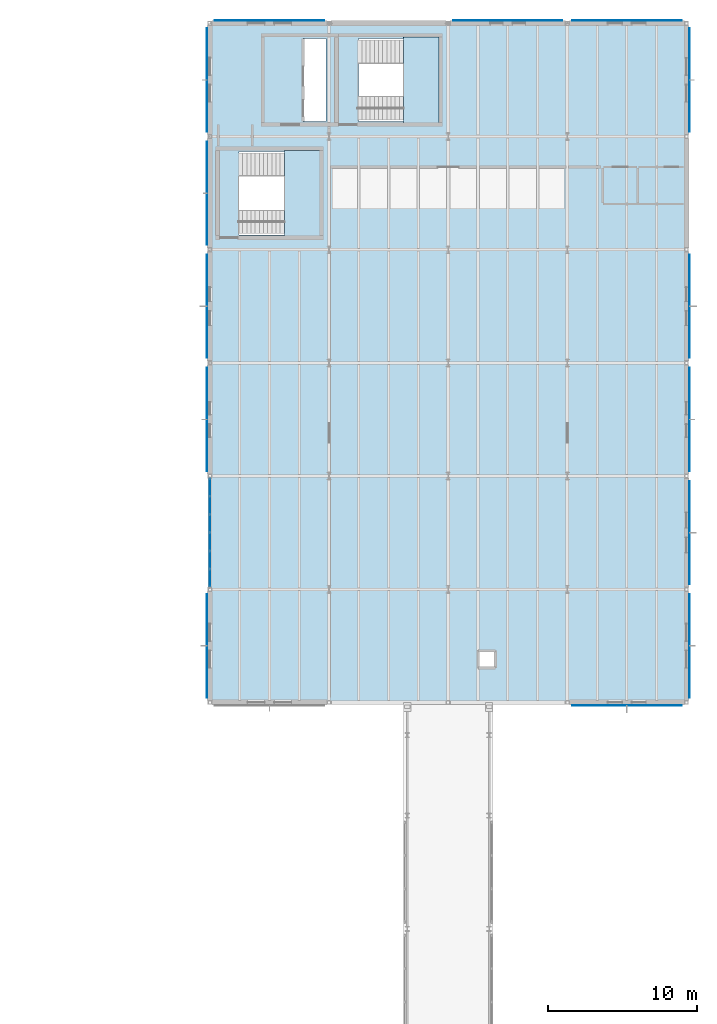
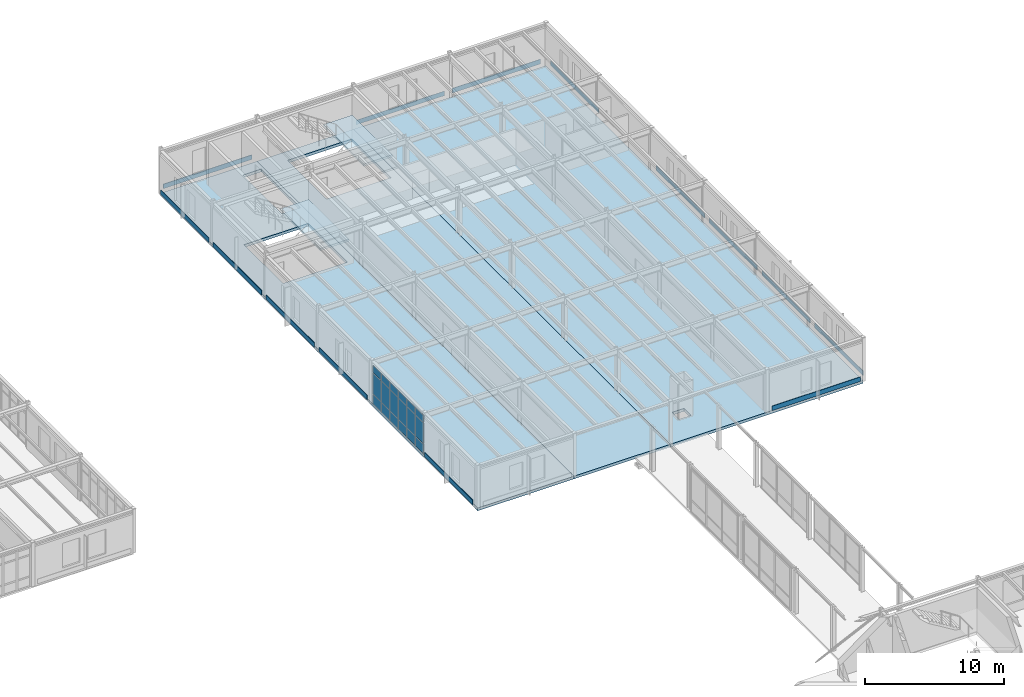
# One storey, part 153 of 189: 32 plates, 5 slabs, 3 elements without a shape of their own.
"""IFC4 building model written with IfcOpenShell, lengths in metres."""

from ifc_helpers import new_model, si_unit, direction, frame, origin, origin_2d, place, context, subcontext, project, spatial, polyline, rectangle, outline, extrude, material, layer, layer_set, type_object, element, aggregate, save


model = new_model("IFC4")

# Units and contexts
model_context = context("Model", 3, precision=1e-05, world=origin(), true_north=direction((0.0, 1.0)))
body_context = subcontext(model_context, "Body", "Model", "MODEL_VIEW")
ifc_project = project(units=[si_unit("LENGTHUNIT", "METRE"), si_unit("AREAUNIT", "SQUARE_METRE"), si_unit("VOLUMEUNIT", "CUBIC_METRE"), si_unit("PLANEANGLEUNIT", "RADIAN"), si_unit("MASSUNIT", "GRAM", prefix="KILO")], contexts=[model_context])

# Site, building, storey
site_placement = place(None, origin())
site = spatial("IfcSite", under=ifc_project, at=site_placement, CompositionType="ELEMENT")
building_placement = place(site_placement, origin())
building = spatial("IfcBuilding", under=site, at=building_placement, Name="Montecoro Central Library", CompositionType="ELEMENT")
storey_placement = place(building_placement, frame((0.0, 0.0, 9.179931640625)))
storey = spatial("IfcBuildingStorey", under=building, at=storey_placement, Name="L02", CompositionType="ELEMENT", Elevation=9.179931640625)

# Curtain wall, plates
ifc_material_1 = material(Name="Bronze-anodised aluminium and low-E glazing", Category="aluminium")
ifc_layer_1 = layer(ifc_material_1, 0.159912109375)
ifc_layer_set_1 = layer_set([ifc_layer_1], Name="Bronze-anodised aluminium and low-E glazing")
curtain_wall_type = type_object("IfcCurtainWallType", Name="CWT-054", PredefinedType="NOTDEFINED", material=ifc_layer_set_1)
curtain_wall_placement = place(storey_placement, origin())
curtain_wall = element("IfcCurtainWall", 1, at=curtain_wall_placement, inside=storey, type_object=curtain_wall_type, Name="V5-L02-CW-W1", PredefinedType="NOTDEFINED")
ifc_material_2 = material(Name="Laminated low-E double glazing", Category="glass")
ifc_layer_2 = layer(ifc_material_2, 0.0419921875)
ifc_layer_set_2 = layer_set([ifc_layer_2], Name="Laminated low-E double glazing")
plate_type_1 = type_object("IfcPlateType", Name="CWP-GLZ-05", PredefinedType="CURTAIN_PANEL", material=ifc_layer_set_2)
plate_1_placement = place(storey_placement, frame((141.0, 87.8408203125, 0.06005859375), z_axis=(0.0, 0.0, 1.0), x_axis=(0.0, -1.0, 0.0)))
plate_1 = element("IfcPlate", 2, at=plate_1_placement, type_object=plate_type_1, Name="CW-054 panel 1.1", PredefinedType="CURTAIN_PANEL", context=body_context, shape_type="SweptSolid", body=[
    extrude(rectangle(XDim=1.13232421875, YDim=0.0419921875, at=origin_2d()), origin(), (0.0, 0.0, 1.0), 0.81005859375),
])
plate_2_placement = place(storey_placement, frame((141.0, 87.8408203125, 0.93017578125), z_axis=(0.0, 0.0, 1.0), x_axis=(0.0, -1.0, 0.0)))
plate_2 = element("IfcPlate", 3, at=plate_2_placement, type_object=plate_type_1, Name="CW-054 panel 1.2", PredefinedType="CURTAIN_PANEL", context=body_context, shape_type="SweptSolid", body=[
    extrude(rectangle(XDim=1.13232421875, YDim=0.0419921875, at=origin_2d()), origin(), (0.0, 0.0, 1.0), 1.820068359375),
])
plate_3_placement = place(storey_placement, frame((141.0, 87.8408203125, 2.81005859375), z_axis=(0.0, 0.0, 1.0), x_axis=(0.0, -1.0, 0.0)))
plate_3 = element("IfcPlate", 4, at=plate_3_placement, type_object=plate_type_1, Name="CW-054 panel 1.3", PredefinedType="CURTAIN_PANEL", context=body_context, shape_type="SweptSolid", body=[
    extrude(rectangle(XDim=1.13232421875, YDim=0.0419921875, at=origin_2d()), origin(), (0.0, 0.0, 1.0), 0.610107421875),
])
plate_4_placement = place(storey_placement, frame((141.0, 86.633544921875, 0.06005859375), z_axis=(0.0, 0.0, 1.0), x_axis=(0.0, -1.0, 0.0)))
plate_4 = element("IfcPlate", 5, at=plate_4_placement, type_object=plate_type_1, Name="CW-054 panel 2.1", PredefinedType="CURTAIN_PANEL", context=body_context, shape_type="SweptSolid", body=[
    extrude(rectangle(XDim=1.162353515625, YDim=0.0419921875, at=origin_2d()), origin(), (0.0, 0.0, 1.0), 0.81005859375),
])
plate_5_placement = place(storey_placement, frame((141.0, 86.633544921875, 0.93017578125), z_axis=(0.0, 0.0, 1.0), x_axis=(0.0, -1.0, 0.0)))
plate_5 = element("IfcPlate", 6, at=plate_5_placement, type_object=plate_type_1, Name="CW-054 panel 2.2", PredefinedType="CURTAIN_PANEL", context=body_context, shape_type="SweptSolid", body=[
    extrude(rectangle(XDim=1.162353515625, YDim=0.0419921875, at=origin_2d()), origin(), (0.0, 0.0, 1.0), 1.820068359375),
])
plate_6_placement = place(storey_placement, frame((141.0, 86.633544921875, 2.81005859375), z_axis=(0.0, 0.0, 1.0), x_axis=(0.0, -1.0, 0.0)))
plate_6 = element("IfcPlate", 7, at=plate_6_placement, type_object=plate_type_1, Name="CW-054 panel 2.3", PredefinedType="CURTAIN_PANEL", context=body_context, shape_type="SweptSolid", body=[
    extrude(rectangle(XDim=1.162353515625, YDim=0.0419921875, at=origin_2d()), origin(), (0.0, 0.0, 1.0), 0.610107421875),
])
plate_7_placement = place(storey_placement, frame((141.0, 85.4111328125, 0.06005859375), z_axis=(0.0, 0.0, 1.0), x_axis=(0.0, -1.0, 0.0)))
plate_7 = element("IfcPlate", 8, at=plate_7_placement, type_object=plate_type_1, Name="CW-054 panel 3.1", PredefinedType="CURTAIN_PANEL", context=body_context, shape_type="SweptSolid", body=[
    extrude(rectangle(XDim=1.162353515625, YDim=0.0419921875, at=origin_2d()), origin(), (0.0, 0.0, 1.0), 0.81005859375),
])
plate_8_placement = place(storey_placement, frame((141.0, 85.4111328125, 0.93017578125), z_axis=(0.0, 0.0, 1.0), x_axis=(0.0, -1.0, 0.0)))
plate_8 = element("IfcPlate", 9, at=plate_8_placement, type_object=plate_type_1, Name="CW-054 panel 3.2", PredefinedType="CURTAIN_PANEL", context=body_context, shape_type="SweptSolid", body=[
    extrude(rectangle(XDim=1.162353515625, YDim=0.0419921875, at=origin_2d()), origin(), (0.0, 0.0, 1.0), 1.820068359375),
])
plate_9_placement = place(storey_placement, frame((141.0, 85.4111328125, 2.81005859375), z_axis=(0.0, 0.0, 1.0), x_axis=(0.0, -1.0, 0.0)))
plate_9 = element("IfcPlate", 10, at=plate_9_placement, type_object=plate_type_1, Name="CW-054 panel 3.3", PredefinedType="CURTAIN_PANEL", context=body_context, shape_type="SweptSolid", body=[
    extrude(rectangle(XDim=1.162353515625, YDim=0.0419921875, at=origin_2d()), origin(), (0.0, 0.0, 1.0), 0.610107421875),
])
plate_10_placement = place(storey_placement, frame((141.0, 84.188720703125, 0.06005859375), z_axis=(0.0, 0.0, 1.0), x_axis=(0.0, -1.0, 0.0)))
plate_10 = element("IfcPlate", 11, at=plate_10_placement, type_object=plate_type_1, Name="CW-054 panel 4.1", PredefinedType="CURTAIN_PANEL", context=body_context, shape_type="SweptSolid", body=[
    extrude(rectangle(XDim=1.162353515625, YDim=0.0419921875, at=origin_2d()), origin(), (0.0, 0.0, 1.0), 0.81005859375),
])
plate_11_placement = place(storey_placement, frame((141.0, 84.188720703125, 0.93017578125), z_axis=(0.0, 0.0, 1.0), x_axis=(0.0, -1.0, 0.0)))
plate_11 = element("IfcPlate", 12, at=plate_11_placement, type_object=plate_type_1, Name="CW-054 panel 4.2", PredefinedType="CURTAIN_PANEL", context=body_context, shape_type="SweptSolid", body=[
    extrude(rectangle(XDim=1.162353515625, YDim=0.0419921875, at=origin_2d()), origin(), (0.0, 0.0, 1.0), 1.820068359375),
])
plate_12_placement = place(storey_placement, frame((141.0, 84.188720703125, 2.81005859375), z_axis=(0.0, 0.0, 1.0), x_axis=(0.0, -1.0, 0.0)))
plate_12 = element("IfcPlate", 13, at=plate_12_placement, type_object=plate_type_1, Name="CW-054 panel 4.3", PredefinedType="CURTAIN_PANEL", context=body_context, shape_type="SweptSolid", body=[
    extrude(rectangle(XDim=1.162353515625, YDim=0.0419921875, at=origin_2d()), origin(), (0.0, 0.0, 1.0), 0.610107421875),
])
plate_13_placement = place(storey_placement, frame((141.0, 82.966552734375, 0.06005859375), z_axis=(0.0, 0.0, 1.0), x_axis=(0.0, -1.0, 0.0)))
plate_13 = element("IfcPlate", 14, at=plate_13_placement, type_object=plate_type_1, Name="CW-054 panel 5.1", PredefinedType="CURTAIN_PANEL", context=body_context, shape_type="SweptSolid", body=[
    extrude(rectangle(XDim=1.162353515625, YDim=0.0419921875, at=origin_2d()), origin(), (0.0, 0.0, 1.0), 0.81005859375),
])
plate_14_placement = place(storey_placement, frame((141.0, 82.966552734375, 0.93017578125), z_axis=(0.0, 0.0, 1.0), x_axis=(0.0, -1.0, 0.0)))
plate_14 = element("IfcPlate", 15, at=plate_14_placement, type_object=plate_type_1, Name="CW-054 panel 5.2", PredefinedType="CURTAIN_PANEL", context=body_context, shape_type="SweptSolid", body=[
    extrude(rectangle(XDim=1.162353515625, YDim=0.0419921875, at=origin_2d()), origin(), (0.0, 0.0, 1.0), 1.820068359375),
])
plate_15_placement = place(storey_placement, frame((141.0, 82.966552734375, 2.81005859375), z_axis=(0.0, 0.0, 1.0), x_axis=(0.0, -1.0, 0.0)))
plate_15 = element("IfcPlate", 16, at=plate_15_placement, type_object=plate_type_1, Name="CW-054 panel 5.3", PredefinedType="CURTAIN_PANEL", context=body_context, shape_type="SweptSolid", body=[
    extrude(rectangle(XDim=1.162353515625, YDim=0.0419921875, at=origin_2d()), origin(), (0.0, 0.0, 1.0), 0.610107421875),
])
plate_16_placement = place(storey_placement, frame((141.0, 81.75927734375, 0.06005859375), z_axis=(0.0, 0.0, 1.0), x_axis=(0.0, -1.0, 0.0)))
plate_16 = element("IfcPlate", 17, at=plate_16_placement, type_object=plate_type_1, Name="CW-054 panel 6.1", PredefinedType="CURTAIN_PANEL", context=body_context, shape_type="SweptSolid", body=[
    extrude(rectangle(XDim=1.13232421875, YDim=0.0419921875, at=origin_2d()), origin(), (0.0, 0.0, 1.0), 0.81005859375),
])
plate_17_placement = place(storey_placement, frame((141.0, 81.75927734375, 0.93017578125), z_axis=(0.0, 0.0, 1.0), x_axis=(0.0, -1.0, 0.0)))
plate_17 = element("IfcPlate", 18, at=plate_17_placement, type_object=plate_type_1, Name="CW-054 panel 6.2", PredefinedType="CURTAIN_PANEL", context=body_context, shape_type="SweptSolid", body=[
    extrude(rectangle(XDim=1.13232421875, YDim=0.0419921875, at=origin_2d()), origin(), (0.0, 0.0, 1.0), 1.820068359375),
])
plate_18_placement = place(storey_placement, frame((141.0, 81.75927734375, 2.81005859375), z_axis=(0.0, 0.0, 1.0), x_axis=(0.0, -1.0, 0.0)))
plate_18 = element("IfcPlate", 19, at=plate_18_placement, type_object=plate_type_1, Name="CW-054 panel 6.3", PredefinedType="CURTAIN_PANEL", context=body_context, shape_type="SweptSolid", body=[
    extrude(rectangle(XDim=1.13232421875, YDim=0.0419921875, at=origin_2d()), origin(), (0.0, 0.0, 1.0), 0.610107421875),
])
aggregate(curtain_wall, [plate_1, plate_2, plate_3, plate_4, plate_5, plate_6, plate_7, plate_8, plate_9, plate_10, plate_11, plate_12, plate_13, plate_14, plate_15, plate_16, plate_17, plate_18])

# Plates
ifc_material_3 = material(Name="Architectural bronze spandrel plate", Category="aluminium")
ifc_layer_3 = layer(ifc_material_3, 0.02197265625)
ifc_layer_set_3 = layer_set([ifc_layer_3], Name="Architectural bronze spandrel plate")
plate_type_2 = type_object("IfcPlateType", Name="PLT-SPN-01", PredefinedType="SHEET", material=ifc_layer_set_3)
for number, where, z_axis, x_axis, name in (
    (20, (173.193603515625, 84.800048828125, 0.16015625), (0.0, 0.0, 1.0), (0.0, 1.0, 0.0), "V5-L02-SPN-E1"),
    (21, (173.193603515625, 115.199951171875, 0.16015625), (0.0, 0.0, 1.0), (0.0, 1.0, 0.0), "V5-L02-SPN-E5"),
    (22, (140.806396484375, 115.199951171875, 0.16015625), (0.0, 0.0, 1.0), (0.0, -1.0, 0.0), "V5-L02-SPN-W5"),
):
    element("IfcPlate", number, at=place(storey_placement, frame(where, z_axis=z_axis, x_axis=x_axis)), inside=storey, type_object=plate_type_2, Name=name, PredefinedType="SHEET", context=body_context, shape_type="SweptSolid", body=[
        extrude(rectangle(XDim=6.93408203125, YDim=0.02197265625, at=origin_2d()), origin(), (0.0, 0.0, 1.0), 0.39990234375),
    ])
ifc_layer_4 = layer(ifc_material_3, 0.028076171875)
ifc_layer_set_4 = layer_set([ifc_layer_4], Name="Architectural bronze spandrel plate")
plate_type_3 = type_object("IfcPlateType", Name="PLT-SPN-02", PredefinedType="SHEET", material=ifc_layer_set_4)
plate_19_placement = place(storey_placement, frame((173.196533203125, 92.39990234375, 0.16015625), z_axis=(0.0, 0.0, 1.0), x_axis=(0.0, 1.0, 0.0)))
element("IfcPlate", 23, at=plate_19_placement, inside=storey, type_object=plate_type_3, Name="V5-L02-SPN-E2", PredefinedType="SHEET", context=body_context, shape_type="SweptSolid", body=[
    extrude(rectangle(XDim=6.93408203125, YDim=0.028076171875, at=origin_2d()), origin(), (0.0, 0.0, 1.0), 0.39990234375),
])
plate_20_placement = place(storey_placement, frame((161.0, 119.196533203125, 0.16015625), z_axis=(0.0, 0.0, 1.0), x_axis=(-1.0, 0.0, 0.0)))
element("IfcPlate", 24, at=plate_20_placement, inside=storey, type_object=plate_type_3, Name="V5-L02-SPN-N2", PredefinedType="SHEET", context=body_context, shape_type="SweptSolid", body=[
    extrude(rectangle(XDim=7.333984375, YDim=0.028076171875, at=origin_2d()), origin(), (0.0, 0.0, 1.0), 0.39990234375),
])
plate_21_placement = place(storey_placement, frame((140.803466796875, 92.39990234375, 0.16015625), z_axis=(0.0, 0.0, 1.0), x_axis=(0.0, -1.0, 0.0)))
element("IfcPlate", 25, at=plate_21_placement, inside=storey, type_object=plate_type_3, Name="V5-L02-SPN-W2", PredefinedType="SHEET", context=body_context, shape_type="SweptSolid", body=[
    extrude(rectangle(XDim=6.93408203125, YDim=0.028076171875, at=origin_2d()), origin(), (0.0, 0.0, 1.0), 0.39990234375),
])
ifc_layer_5 = layer(ifc_material_3, 0.035888671875)
ifc_layer_set_5 = layer_set([ifc_layer_5], Name="Architectural bronze spandrel plate")
plate_type_4 = type_object("IfcPlateType", Name="PLT-SPN-03", PredefinedType="SHEET", material=ifc_layer_set_5)
plate_22_placement = place(storey_placement, frame((169.0, 73.199462890625, 0.16015625), z_axis=(0.0, 0.0, 1.0), x_axis=(1.0, 0.0, 0.0)))
element("IfcPlate", 26, at=plate_22_placement, inside=storey, type_object=plate_type_4, Name="V5-L02-SPN-S3", PredefinedType="SHEET", context=body_context, shape_type="SweptSolid", body=[
    extrude(rectangle(XDim=7.333984375, YDim=0.035888671875, at=origin_2d()), origin(), (0.0, 0.0, 1.0), 0.39990234375),
])
plate_23_placement = place(storey_placement, frame((173.200439453125, 100.0, 0.16015625), z_axis=(0.0, 0.0, 1.0), x_axis=(0.0, 1.0, 0.0)))
element("IfcPlate", 27, at=plate_23_placement, inside=storey, type_object=plate_type_4, Name="V5-L02-SPN-E3", PredefinedType="SHEET", context=body_context, shape_type="SweptSolid", body=[
    extrude(rectangle(XDim=6.93408203125, YDim=0.035888671875, at=origin_2d()), origin(), (0.0, 0.0, 1.0), 0.39990234375),
])
plate_24_placement = place(storey_placement, frame((169.0, 119.200439453125, 0.16015625), z_axis=(0.0, 0.0, 1.0), x_axis=(-1.0, 0.0, 0.0)))
element("IfcPlate", 28, at=plate_24_placement, inside=storey, type_object=plate_type_4, Name="V5-L02-SPN-N3", PredefinedType="SHEET", context=body_context, shape_type="SweptSolid", body=[
    extrude(rectangle(XDim=7.333984375, YDim=0.035888671875, at=origin_2d()), origin(), (0.0, 0.0, 1.0), 0.39990234375),
])
plate_25_placement = place(storey_placement, frame((140.799560546875, 100.0, 0.16015625), z_axis=(0.0, 0.0, 1.0), x_axis=(0.0, -1.0, 0.0)))
element("IfcPlate", 29, at=plate_25_placement, inside=storey, type_object=plate_type_4, Name="V5-L02-SPN-W3", PredefinedType="SHEET", context=body_context, shape_type="SweptSolid", body=[
    extrude(rectangle(XDim=6.93408203125, YDim=0.035888671875, at=origin_2d()), origin(), (0.0, 0.0, 1.0), 0.39990234375),
])
ifc_layer_6 = layer(ifc_material_3, 0.0439453125)
ifc_layer_set_6 = layer_set([ifc_layer_6], Name="Architectural bronze spandrel plate")
plate_type_5 = type_object("IfcPlateType", Name="PLT-SPN-04", PredefinedType="SHEET", material=ifc_layer_set_6)
plate_26_placement = place(storey_placement, frame((173.20458984375, 77.199951171875, 0.16015625), z_axis=(0.0, 0.0, 1.0), x_axis=(0.0, 1.0, 0.0)))
element("IfcPlate", 30, at=plate_26_placement, inside=storey, type_object=plate_type_5, Name="V5-L02-SPN-E0", PredefinedType="SHEET", context=body_context, shape_type="SweptSolid", body=[
    extrude(rectangle(XDim=6.93408203125, YDim=0.0439453125, at=origin_2d()), origin(), (0.0, 0.0, 1.0), 0.39990234375),
])
plate_27_placement = place(storey_placement, frame((145.0, 119.20458984375, 0.16015625), z_axis=(0.0, 0.0, 1.0), x_axis=(-1.0, 0.0, 0.0)))
element("IfcPlate", 31, at=plate_27_placement, inside=storey, type_object=plate_type_5, Name="V5-L02-SPN-N0", PredefinedType="SHEET", context=body_context, shape_type="SweptSolid", body=[
    extrude(rectangle(XDim=7.333984375, YDim=0.0439453125, at=origin_2d()), origin(), (0.0, 0.0, 1.0), 0.39990234375),
])
for number, where, z_axis, x_axis, name in (
    (32, (140.79541015625, 107.60009765625, 0.16015625), (0.0, 0.0, 1.0), (0.0, -1.0, 0.0), "V5-L02-SPN-W4"),
    (33, (140.79541015625, 77.199951171875, 0.16015625), (0.0, 0.0, 1.0), (0.0, -1.0, 0.0), "V5-L02-SPN-W0"),
):
    element("IfcPlate", number, at=place(storey_placement, frame(where, z_axis=z_axis, x_axis=x_axis)), inside=storey, type_object=plate_type_5, Name=name, PredefinedType="SHEET", context=body_context, shape_type="SweptSolid", body=[
        extrude(rectangle(XDim=6.93408203125, YDim=0.0439453125, at=origin_2d()), origin(), (0.0, 0.0, 1.0), 0.39990234375),
    ])

# Stair, slab
ifc_material_4 = material(Name="Concrete C35/45", Category="concrete")
stair_type_1 = type_object("IfcStairType", Name="STR-RET-160", PredefinedType="HALF_TURN_STAIR", material=ifc_material_4)
stair_1_placement = place(storey_placement, origin())
stair_1 = element("IfcStair", 34, at=stair_1_placement, inside=storey, type_object=stair_type_1, Name="C6-L02-STR", PredefinedType="HALF_TURN_STAIR")
ifc_layer_7 = layer(ifc_material_4, 0.199951171875)
ifc_layer_set_7 = layer_set([ifc_layer_7], Name="Concrete C35/45")
slab_type_1 = type_object("IfcSlabType", Name="SL-LND-200", PredefinedType="LANDING", material=ifc_layer_set_7)
slab_1_placement = place(storey_placement, frame((0.0, 0.0, 1.840087890625)))
slab_1 = element("IfcSlab", 35, at=slab_1_placement, type_object=slab_type_1, Name="ST-06 landing 1", PredefinedType="LANDING", context=body_context, shape_type="SweptSolid", body=[
    extrude(outline(polyline([(154.0, 112.320068359375), (156.3798828125, 112.320068359375), (156.3798828125, 118.080078125), (154.0, 118.080078125), (154.0, 112.320068359375)])), origin(), (0.0, 0.0, 1.0), 0.199951171875),
])
aggregate(stair_1, [slab_1])

stair_type_2 = type_object("IfcStairType", Name="STR-RET-155", PredefinedType="HALF_TURN_STAIR", material=ifc_material_4)
stair_2_placement = place(storey_placement, origin())
stair_2 = element("IfcStair", 36, at=stair_2_placement, inside=storey, type_object=stair_type_2, Name="C8-L02-STR", PredefinedType="HALF_TURN_STAIR")
slab_2_placement = place(storey_placement, frame((0.0, 0.0, 1.840087890625)))
slab_2 = element("IfcSlab", 37, at=slab_2_placement, type_object=slab_type_1, Name="ST-08 landing 1", PredefinedType="LANDING", context=body_context, shape_type="SweptSolid", body=[
    extrude(outline(polyline([(146.0, 104.719970703125), (148.3798828125, 104.719970703125), (148.3798828125, 110.47998046875), (146.0, 110.47998046875), (146.0, 104.719970703125)])), origin(), (0.0, 0.0, 1.0), 0.199951171875),
])
aggregate(stair_2, [slab_2])

# Slabs
ifc_material_5 = material(Name="Concrete C32/40", Category="concrete")
ifc_layer_8 = layer(ifc_material_5, 0.2451171875)
ifc_layer_set_8 = layer_set([ifc_layer_8], Name="Concrete C32/40")
slab_type_2 = type_object("IfcSlabType", Name="SL-STK-245", PredefinedType="FLOOR", material=ifc_layer_set_8)
slab_3_placement = place(storey_placement, frame((0.0, 0.0, -0.244873046875)))
element("IfcSlab", 38, at=slab_3_placement, inside=storey, type_object=slab_type_2, Name="V5-L02-SL1", PredefinedType="FLOOR", context=body_context, shape_type="SweptSolid", body=[
    extrude(outline(polyline([(141.0, 73.39990234375), (149.0, 73.39990234375), (149.0, 119.0), (141.0, 119.0), (141.0, 73.39990234375)]), holes=[polyline([(147.25, 118.0), (148.780029296875, 118.0), (148.780029296875, 112.39990234375), (147.25, 112.39990234375), (147.25, 118.0)]), polyline([(142.9599609375, 110.39990234375), (148.300048828125, 110.39990234375), (148.300048828125, 104.800048828125), (142.9599609375, 104.800048828125), (142.9599609375, 110.39990234375)])]), origin(), (0.0, 0.0, 1.0), 0.244873046875),
])
slab_4_placement = place(storey_placement, frame((0.0, 0.0, -0.244873046875)))
element("IfcSlab", 39, at=slab_4_placement, inside=storey, type_object=slab_type_2, Name="V5-L02-SL2", PredefinedType="FLOOR", context=body_context, shape_type="SweptSolid", body=[
    extrude(outline(polyline([(149.0, 73.39990234375), (157.0, 73.39990234375), (157.0, 119.0), (149.0, 119.0), (149.0, 73.39990234375)]), holes=[polyline([(150.9599609375, 118.0), (156.300048828125, 118.0), (156.300048828125, 112.39990234375), (150.9599609375, 112.39990234375), (150.9599609375, 118.0)])]), origin(), (0.0, 0.0, 1.0), 0.244873046875),
])
slab_5_placement = place(storey_placement, frame((0.0, 0.0, -0.244873046875)))
element("IfcSlab", 40, at=slab_5_placement, inside=storey, type_object=slab_type_2, Name="V5-L02-SL3", PredefinedType="FLOOR", context=body_context, shape_type="SweptSolid", body=[
    extrude(outline(polyline([(157.0, 73.39990234375), (173.0, 73.39990234375), (173.0, 119.0), (157.0, 119.0), (157.0, 73.39990234375)]), holes=[polyline([(159.10009765625, 76.800048828125), (160.10009765625, 76.800048828125), (160.10009765625, 75.800048828125), (159.10009765625, 75.800048828125), (159.10009765625, 76.800048828125)])]), origin(), (0.0, 0.0, 1.0), 0.244873046875),
])

save(model, "model.ifc")
